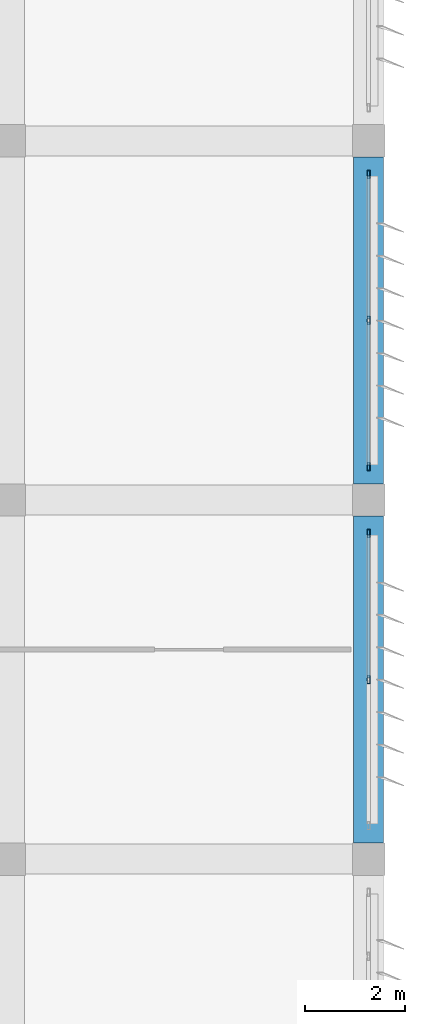
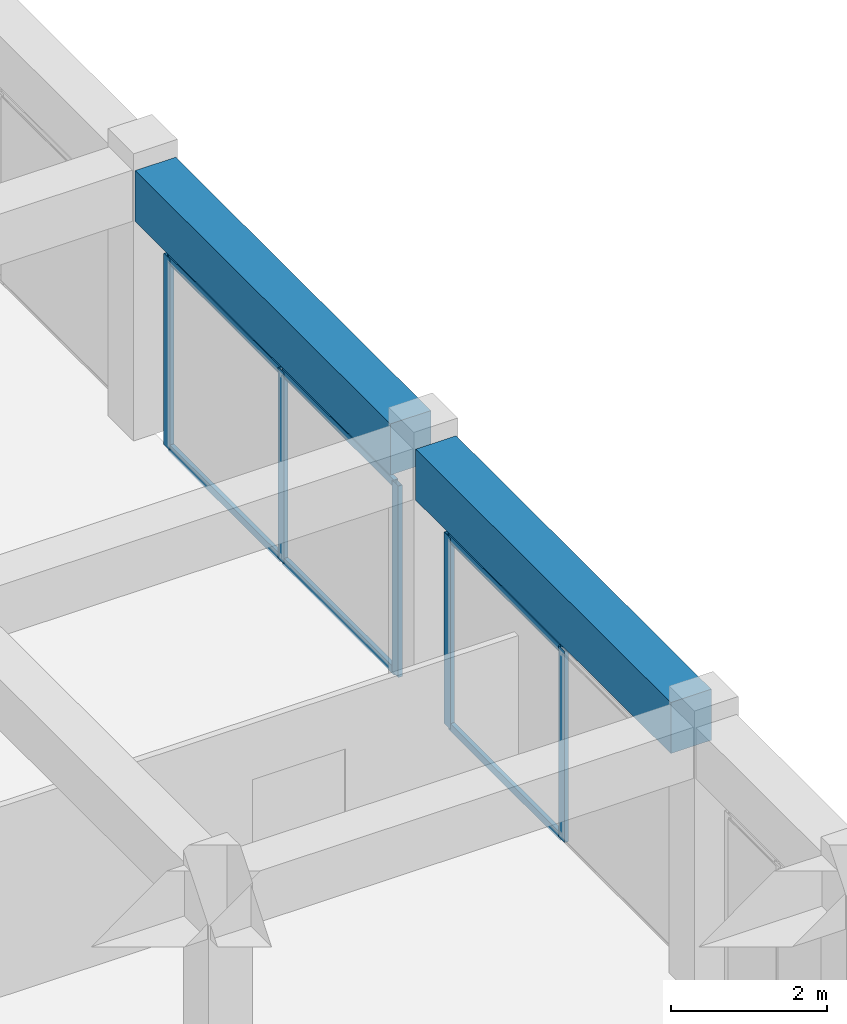
# One storey, part 30 of 56: 11 members, 2 beams, 2 elements without a shape of their own.
"""IFC4 building model written with IfcOpenShell, lengths in metres."""

from ifc_helpers import new_model, si_unit, direction, frame, origin, origin_2d, place, context, subcontext, project, spatial, rectangle, hollow_rectangle, extrude, material, material_profile, profile_set, type_object, element, aggregate, save


model = new_model("IFC4")

# Units and contexts
model_context = context("Model", 3, precision=1e-05, world=origin(), true_north=direction((0.0, 1.0)))
body_context = subcontext(model_context, "Body", "Model", "MODEL_VIEW")
ifc_project = project(units=[si_unit("LENGTHUNIT", "METRE"), si_unit("AREAUNIT", "SQUARE_METRE"), si_unit("VOLUMEUNIT", "CUBIC_METRE"), si_unit("PLANEANGLEUNIT", "RADIAN"), si_unit("MASSUNIT", "GRAM", prefix="KILO")], contexts=[model_context])

# Site, building, storey
site_placement = place(None, origin())
site = spatial("IfcSite", under=ifc_project, at=site_placement, CompositionType="ELEMENT")
building_placement = place(site_placement, origin())
building = spatial("IfcBuilding", under=site, at=building_placement, Name="Kazehaya Institute of Natural Sciences", CompositionType="ELEMENT")
storey_placement = place(building_placement, frame((0.0, 0.0, 28.800048828125)))
storey = spatial("IfcBuildingStorey", under=building, at=storey_placement, Name="L06", CompositionType="ELEMENT", Elevation=28.800048828125)

# Beams
ifc_material_1 = material(Name="Concrete Fc36", Category="concrete")
ifc_material_profile_1 = material_profile(ifc_material_1, rectangle(XDim=0.60009765625, YDim=0.800048828125, at=origin_2d()), Name="RC-600x800")
ifc_profile_set_1 = profile_set([ifc_material_profile_1], Name="Concrete Fc36")
beam_type = type_object("IfcBeamType", Name="BM-G-600x800", PredefinedType="BEAM", material=ifc_profile_set_1)
for number, where, z_axis, x_axis, name in (
    (1, (119.39990234375, 14.324951171875, 3.829833984375), (0.0, 1.0, 0.0), (-1.0, 0.0, 0.0), "L06 primary Y girder BMY-L06-1194-140"),
    (2, (119.39990234375, 21.52490234375, 3.829833984375), (0.0, 1.0, 0.0), (-1.0, 0.0, 0.0), "L06 primary Y girder BMY-L06-1194-212"),
):
    element("IfcBeam", number, at=place(storey_placement, frame(where, z_axis=z_axis, x_axis=x_axis)), inside=storey, type_object=beam_type, Name=name, PredefinedType="BEAM", context=body_context, shape_type="SweptSolid", body=[
        extrude(rectangle(XDim=0.60009765625, YDim=0.800048828125, at=origin_2d()), origin(), (0.0, 0.0, 1.0), 6.550048828125),
    ])

# Curtain wall, members
ifc_material_2 = material(Name="Aluminium alloy A6063S-T5", Category="aluminium")
curtain_wall_type = type_object("IfcCurtainWallType", Name="CW-SYS-10", PredefinedType="NOTDEFINED", material=ifc_material_2)
curtain_wall_1_placement = place(storey_placement, origin())
curtain_wall_1 = element("IfcCurtainWall", 3, at=curtain_wall_1_placement, inside=storey, type_object=curtain_wall_type, Name="L06 unitised curtain wall CW-L06-143", PredefinedType="NOTDEFINED")
ifc_material_profile_2 = material_profile(ifc_material_2, hollow_rectangle(XDim=0.06005859375, YDim=0.159912109375, WallThickness=0.00390625, at=origin_2d()), Name="ALU-60x160x4")
ifc_profile_set_2 = profile_set([ifc_material_profile_2], Name="Aluminium alloy A6063S-T5")
member_type_1 = type_object("IfcMemberType", Name="CWM-160", PredefinedType="MULLION", material=ifc_profile_set_2)
member_1_placement = place(storey_placement, frame((119.39990234375, 20.530029296875, 0.0), z_axis=(0.0, 0.0, 1.0), x_axis=(1.0, 0.0, 0.0)))
member_1 = element("IfcMember", 4, at=member_1_placement, type_object=member_type_1, Name="CW10 mullion 1", PredefinedType="MULLION", context=body_context, shape_type="SweptSolid", body=[
    extrude(hollow_rectangle(XDim=0.06005859375, YDim=0.159912109375, WallThickness=0.00390625, at=origin_2d()), origin(), (0.0, 0.0, 1.0), 3.0),
])
member_2_placement = place(storey_placement, frame((119.39990234375, 17.60009765625, 0.0), z_axis=(0.0, 0.0, 1.0), x_axis=(1.0, 0.0, 0.0)))
member_2 = element("IfcMember", 5, at=member_2_placement, type_object=member_type_1, Name="CW10 mullion 2", PredefinedType="MULLION", context=body_context, shape_type="SweptSolid", body=[
    extrude(hollow_rectangle(XDim=0.06005859375, YDim=0.159912109375, WallThickness=0.00390625, at=origin_2d()), origin(), (0.0, 0.0, 1.0), 3.0),
])

curtain_wall_2_placement = place(storey_placement, origin())
curtain_wall_2 = element("IfcCurtainWall", 6, at=curtain_wall_2_placement, inside=storey, type_object=curtain_wall_type, Name="L06 unitised curtain wall CW-L06-145", PredefinedType="NOTDEFINED")
member_3_placement = place(storey_placement, frame((119.39990234375, 27.72998046875, 0.0), z_axis=(0.0, 0.0, 1.0), x_axis=(1.0, 0.0, 0.0)))
member_3 = element("IfcMember", 7, at=member_3_placement, type_object=member_type_1, Name="CW10 mullion 1", PredefinedType="MULLION", context=body_context, shape_type="SweptSolid", body=[
    extrude(hollow_rectangle(XDim=0.06005859375, YDim=0.159912109375, WallThickness=0.00390625, at=origin_2d()), origin(), (0.0, 0.0, 1.0), 3.0),
])
member_4_placement = place(storey_placement, frame((119.39990234375, 24.800048828125, 0.0), z_axis=(0.0, 0.0, 1.0), x_axis=(1.0, 0.0, 0.0)))
member_4 = element("IfcMember", 8, at=member_4_placement, type_object=member_type_1, Name="CW10 mullion 2", PredefinedType="MULLION", context=body_context, shape_type="SweptSolid", body=[
    extrude(hollow_rectangle(XDim=0.06005859375, YDim=0.159912109375, WallThickness=0.00390625, at=origin_2d()), origin(), (0.0, 0.0, 1.0), 3.0),
])
member_5_placement = place(storey_placement, frame((119.39990234375, 21.8701171875, 0.0), z_axis=(0.0, 0.0, 1.0), x_axis=(1.0, 0.0, 0.0)))
member_5 = element("IfcMember", 9, at=member_5_placement, type_object=member_type_1, Name="CW10 mullion 3", PredefinedType="MULLION", context=body_context, shape_type="SweptSolid", body=[
    extrude(hollow_rectangle(XDim=0.06005859375, YDim=0.159912109375, WallThickness=0.00390625, at=origin_2d()), origin(), (0.0, 0.0, 1.0), 3.0),
])

# Member
ifc_material_profile_3 = material_profile(ifc_material_2, hollow_rectangle(XDim=0.06005859375, YDim=0.1201171875, WallThickness=0.00341796875, at=origin_2d()), Name="ALU-60x120x3.5")
ifc_profile_set_3 = profile_set([ifc_material_profile_3], Name="Aluminium alloy A6063S-T5")
member_type_2 = type_object("IfcMemberType", Name="CWT-120", PredefinedType="USERDEFINED", material=ifc_profile_set_3)
member_6_placement = place(storey_placement, frame((119.39990234375, 20.5, 0.030029296875), z_axis=(0.0, -1.0, 0.0), x_axis=(1.0, 0.0, 0.0)))
member_6 = element("IfcMember", 10, at=member_6_placement, type_object=member_type_2, Name="CW10 transom 1.1", ObjectType="TRANSOM", PredefinedType="USERDEFINED", context=body_context, shape_type="SweptSolid", body=[
    extrude(hollow_rectangle(XDim=0.06005859375, YDim=0.1201171875, WallThickness=0.00341796875, at=origin_2d()), origin(), (0.0, 0.0, 1.0), 2.8701171875),
])

member_7_placement = place(storey_placement, frame((119.39990234375, 20.5, 2.969970703125), z_axis=(0.0, -1.0, 0.0), x_axis=(1.0, 0.0, 0.0)))
member_7 = element("IfcMember", 11, at=member_7_placement, type_object=member_type_2, Name="CW10 transom 1.2", ObjectType="TRANSOM", PredefinedType="USERDEFINED", context=body_context, shape_type="SweptSolid", body=[
    extrude(hollow_rectangle(XDim=0.06005859375, YDim=0.1201171875, WallThickness=0.00341796875, at=origin_2d()), origin(), (0.0, 0.0, 1.0), 2.8701171875),
])

aggregate(curtain_wall_1, [member_1, member_2, member_6, member_7])

member_8_placement = place(storey_placement, frame((119.39990234375, 27.699951171875, 0.030029296875), z_axis=(0.0, -1.0, 0.0), x_axis=(1.0, 0.0, 0.0)))
member_8 = element("IfcMember", 12, at=member_8_placement, type_object=member_type_2, Name="CW10 transom 1.1", ObjectType="TRANSOM", PredefinedType="USERDEFINED", context=body_context, shape_type="SweptSolid", body=[
    extrude(hollow_rectangle(XDim=0.06005859375, YDim=0.1201171875, WallThickness=0.00341796875, at=origin_2d()), origin(), (0.0, 0.0, 1.0), 2.869873046875),
])

member_9_placement = place(storey_placement, frame((119.39990234375, 27.699951171875, 2.969970703125), z_axis=(0.0, -1.0, 0.0), x_axis=(1.0, 0.0, 0.0)))
member_9 = element("IfcMember", 13, at=member_9_placement, type_object=member_type_2, Name="CW10 transom 1.2", ObjectType="TRANSOM", PredefinedType="USERDEFINED", context=body_context, shape_type="SweptSolid", body=[
    extrude(hollow_rectangle(XDim=0.06005859375, YDim=0.1201171875, WallThickness=0.00341796875, at=origin_2d()), origin(), (0.0, 0.0, 1.0), 2.869873046875),
])

member_10_placement = place(storey_placement, frame((119.39990234375, 24.77001953125, 0.030029296875), z_axis=(0.0, -1.0, 0.0), x_axis=(1.0, 0.0, 0.0)))
member_10 = element("IfcMember", 14, at=member_10_placement, type_object=member_type_2, Name="CW10 transom 2.1", ObjectType="TRANSOM", PredefinedType="USERDEFINED", context=body_context, shape_type="SweptSolid", body=[
    extrude(hollow_rectangle(XDim=0.06005859375, YDim=0.1201171875, WallThickness=0.00341796875, at=origin_2d()), origin(), (0.0, 0.0, 1.0), 2.8701171875),
])

member_11_placement = place(storey_placement, frame((119.39990234375, 24.77001953125, 2.969970703125), z_axis=(0.0, -1.0, 0.0), x_axis=(1.0, 0.0, 0.0)))
member_11 = element("IfcMember", 15, at=member_11_placement, type_object=member_type_2, Name="CW10 transom 2.2", ObjectType="TRANSOM", PredefinedType="USERDEFINED", context=body_context, shape_type="SweptSolid", body=[
    extrude(hollow_rectangle(XDim=0.06005859375, YDim=0.1201171875, WallThickness=0.00341796875, at=origin_2d()), origin(), (0.0, 0.0, 1.0), 2.8701171875),
])

aggregate(curtain_wall_2, [member_3, member_4, member_5, member_8, member_9, member_10, member_11])

save(model, "model.ifc")
